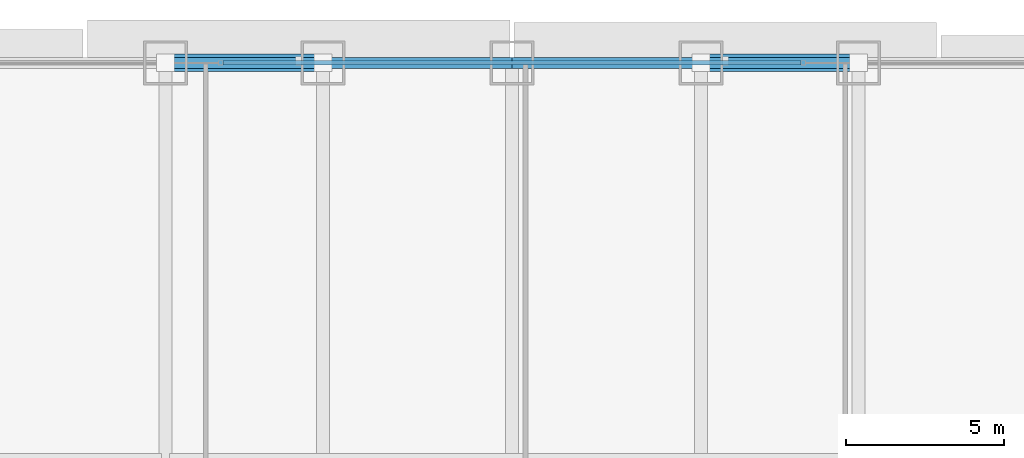
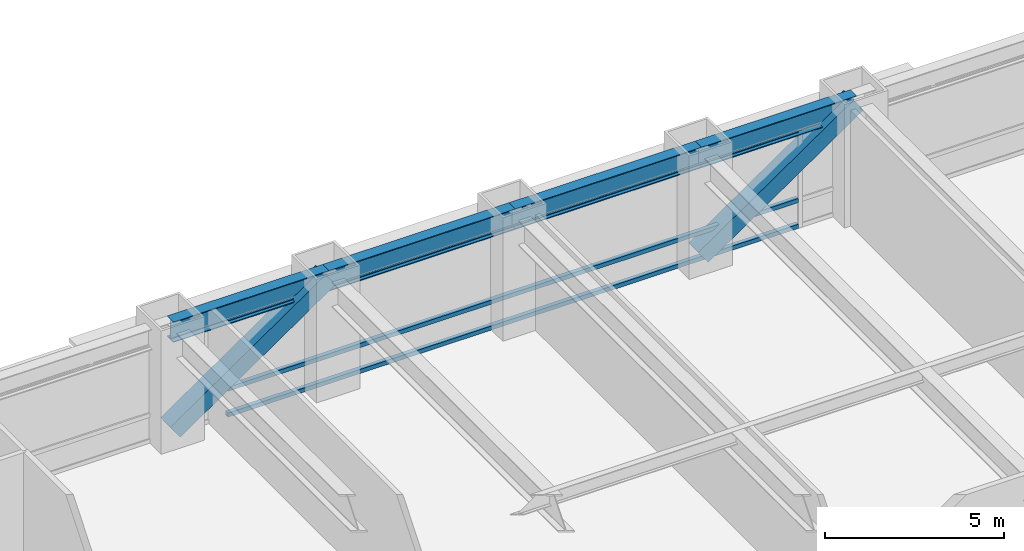
# One storey, part 20 of 31: 5 members, 4 beams, 1 element without a shape of its own.
"""IFC4 building model written with IfcOpenShell, lengths in metres."""

from ifc_helpers import new_model, si_unit, direction, frame, origin, origin_2d, place, context, subcontext, project, spatial, hollow_rectangle, i_section, extrude, source, transform, mapped, material, material_profile, profile_set, type_object, element, aggregate, save


model = new_model("IFC4")

# Units and contexts
model_context = context("Model", 3, precision=1e-05, world=origin(), true_north=direction((0.0, 1.0)))
body_context = subcontext(model_context, "Body", "Model", "MODEL_VIEW")
ifc_project = project(units=[si_unit("LENGTHUNIT", "METRE"), si_unit("AREAUNIT", "SQUARE_METRE"), si_unit("VOLUMEUNIT", "CUBIC_METRE"), si_unit("PLANEANGLEUNIT", "RADIAN"), si_unit("MASSUNIT", "GRAM", prefix="KILO")], contexts=[model_context])

# Site, building, storey
site_placement = place(None, origin())
site = spatial("IfcSite", under=ifc_project, at=site_placement, CompositionType="ELEMENT")
building_placement = place(site_placement, origin())
building = spatial("IfcBuilding", under=site, at=building_placement, Name="Khorayat Bourse Tower", CompositionType="ELEMENT")
storey_placement = place(building_placement, frame((0.0, 0.0, 41.0)))
storey = spatial("IfcBuildingStorey", under=building, at=storey_placement, Name="L08", CompositionType="ELEMENT", Elevation=41.0)

# Beams
ifc_material_1 = material(Name="Steel ASTM A992 Grade 50", Category="steel")
ifc_material_profile_1 = material_profile(ifc_material_1, i_section(OverallWidth=0.35498046875, OverallDepth=0.695068359375, WebThickness=0.015380859375, FlangeThickness=0.02490234375, FilletRadius=0.01806640625, at=origin_2d()), Name="W690X217")
ifc_profile_set_1 = profile_set([ifc_material_profile_1], Name="Steel ASTM A992 Grade 50")
beam_type = type_object("IfcBeamType", Name="BM-SPAN-690", PredefinedType="SPANDREL", material=ifc_profile_set_1)
shared_shape_1 = source(origin(), body_context, "Body", "SweptSolid", [
    extrude(i_section(OverallWidth=0.35498046875, OverallDepth=0.695068359375, WebThickness=0.015380859375, FlangeThickness=0.02490234375, FilletRadius=0.01806640625, at=origin_2d()), origin(), (0.0, 0.0, 1.0), 5.0),
])
for number, where, z_axis, x_axis, name in (
    (1, (6.0, 32.0, 3.592529296875), (1.0, 0.0, 0.0), (0.0, 1.0, 0.0), "L08 BM-SPAN-690 BM-L08-SPN-046"),
    (2, (-11.0, 32.0, 3.592529296875), (1.0, 0.0, 0.0), (0.0, 1.0, 0.0), "L08 BM-SPAN-690 BM-L08-SPN-049"),
):
    element("IfcBeam", number, at=place(storey_placement, frame(where, z_axis=z_axis, x_axis=x_axis)), inside=storey, type_object=beam_type, Name=name, PredefinedType="SPANDREL", context=body_context, shape_type="MappedRepresentation", body=[
        mapped(shared_shape_1, transform((0.0, 0.0, 0.0), scale=1.0)),
    ])
shared_shape_2 = source(origin(), body_context, "Body", "SweptSolid", [
    extrude(i_section(OverallWidth=0.35498046875, OverallDepth=0.695068359375, WebThickness=0.015380859375, FlangeThickness=0.02490234375, FilletRadius=0.01806640625, at=origin_2d()), origin(), (0.0, 0.0, 1.0), 6.0),
])
for number, where, z_axis, x_axis, name in (
    (3, (0.0, 32.0, 3.592529296875), (1.0, 0.0, 0.0), (0.0, 1.0, 0.0), "L08 BM-SPAN-690 BM-L08-SPN-047"),
    (4, (-6.0, 32.0, 3.592529296875), (1.0, 0.0, 0.0), (0.0, 1.0, 0.0), "L08 BM-SPAN-690 BM-L08-SPN-048"),
):
    element("IfcBeam", number, at=place(storey_placement, frame(where, z_axis=z_axis, x_axis=x_axis)), inside=storey, type_object=beam_type, Name=name, PredefinedType="SPANDREL", context=body_context, shape_type="MappedRepresentation", body=[
        mapped(shared_shape_2, transform((0.0, 0.0, 0.0), scale=1.0)),
    ])

# Members
ifc_material_2 = material(Name="Steel EN 10025-4 S460M", Category="steel")
ifc_material_profile_2 = material_profile(ifc_material_2, hollow_rectangle(XDim=0.550048828125, YDim=0.550048828125, WallThickness=0.031982421875, at=origin_2d()), Name="HSS 550x550x32")
ifc_profile_set_2 = profile_set([ifc_material_profile_2], Name="Steel EN 10025-4 S460M")
member_type_1 = type_object("IfcMemberType", Name="MBR-TUBE-550", PredefinedType="BRACE", material=ifc_profile_set_2)
shared_shape_3 = source(origin(), body_context, "Body", "SweptSolid", [
    extrude(hollow_rectangle(XDim=0.550048828125, YDim=0.550048828125, WallThickness=0.031982421875, at=origin_2d()), origin(), (0.0, 0.0, 1.0), 6.069091796875),
])
for number, where, z_axis, x_axis, name in (
    (5, (-11.0, 32.0, 0.25), (0.823854080622, 0.0, 0.566801952928), (0.0, 1.0, 0.0), "L08 Perimeter Tube Brace 03"),
    (6, (6.0, 32.0, 0.25), (0.823854080622, 0.0, 0.566801952928), (0.0, 1.0, 0.0), "L08 Perimeter Tube Brace 04"),
):
    element("IfcMember", number, at=place(storey_placement, frame(where, z_axis=z_axis, x_axis=x_axis)), inside=storey, type_object=member_type_1, Name=name, PredefinedType="BRACE", context=body_context, shape_type="MappedRepresentation", body=[
        mapped(shared_shape_3, transform((0.0, 0.0, 0.0), scale=1.0)),
    ])

# Curtain wall, members
ifc_material_3 = material(Name="Aluminium EN AW-6063 T6", Category="aluminium")
curtain_wall_type = type_object("IfcCurtainWallType", Name="CW-SYS-02", PredefinedType="NOTDEFINED", material=ifc_material_3)
curtain_wall_placement = place(storey_placement, origin())
curtain_wall = element("IfcCurtainWall", 7, at=curtain_wall_placement, inside=storey, type_object=curtain_wall_type, Name="L08 Curtain Wall CW-L08-N1", PredefinedType="NOTDEFINED")
ifc_material_profile_3 = material_profile(ifc_material_3, hollow_rectangle(XDim=0.139892578125, YDim=0.139892578125, WallThickness=0.006103515625, at=origin_2d()), Name="ALU 140x140x6")
ifc_profile_set_3 = profile_set([ifc_material_profile_3], Name="Aluminium EN AW-6063 T6")
member_type_2 = type_object("IfcMemberType", Name="CWT-HORZ-140", PredefinedType="USERDEFINED", material=ifc_profile_set_3)
shared_shape_4 = source(origin(), body_context, "Body", "SweptSolid", [
    extrude(hollow_rectangle(XDim=0.139892578125, YDim=0.139892578125, WallThickness=0.006103515625, at=origin_2d()), origin(), (0.0, 0.0, 1.0), 18.35986328125),
])
member_1_placement = place(storey_placement, frame((-9.179931640625, 32.0, 0.070068359375), z_axis=(1.0, 0.0, 0.0), x_axis=(0.0, 1.0, 0.0)))
member_1 = element("IfcMember", 8, at=member_1_placement, type_object=member_type_2, Name="CW-L08-N1 Horizontal Transom 2-1", ObjectType="TRANSOM", PredefinedType="USERDEFINED", context=body_context, shape_type="MappedRepresentation", body=[
    mapped(shared_shape_4, transform((0.0, 0.0, 0.0), scale=1.0)),
])
member_2_placement = place(storey_placement, frame((-9.179931640625, 32.0, 0.949951171875), z_axis=(1.0, 0.0, 0.0), x_axis=(0.0, 1.0, 0.0)))
member_2 = element("IfcMember", 9, at=member_2_placement, type_object=member_type_2, Name="CW-L08-N1 Horizontal Transom 2-2", ObjectType="TRANSOM", PredefinedType="USERDEFINED", context=body_context, shape_type="MappedRepresentation", body=[
    mapped(shared_shape_4, transform((0.0, 0.0, 0.0), scale=1.0)),
])
member_3_placement = place(storey_placement, frame((-9.179931640625, 32.0, 3.219970703125), z_axis=(1.0, 0.0, 0.0), x_axis=(0.0, 1.0, 0.0)))
member_3 = element("IfcMember", 10, at=member_3_placement, type_object=member_type_2, Name="CW-L08-N1 Horizontal Transom 2-3", ObjectType="TRANSOM", PredefinedType="USERDEFINED", context=body_context, shape_type="MappedRepresentation", body=[
    mapped(shared_shape_4, transform((0.0, 0.0, 0.0), scale=1.0)),
])
aggregate(curtain_wall, [member_1, member_2, member_3])

save(model, "model.ifc")
